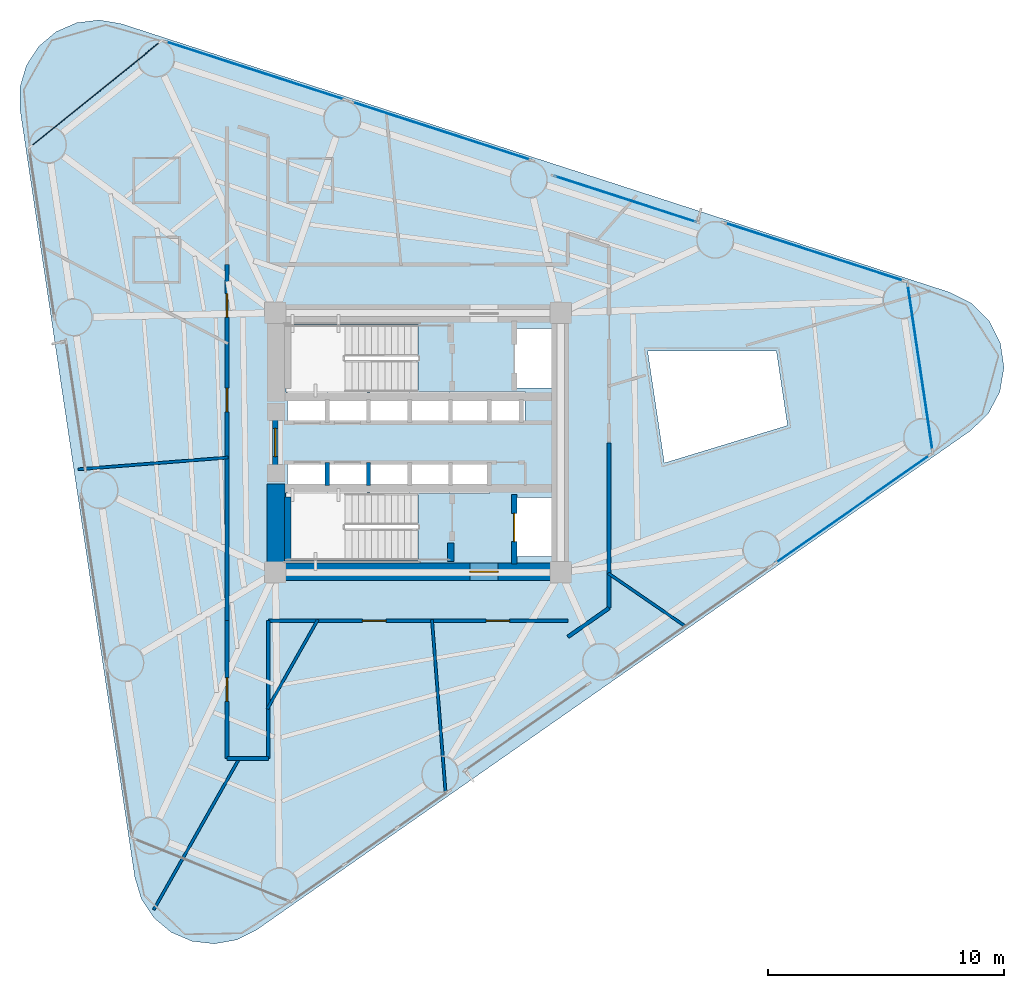
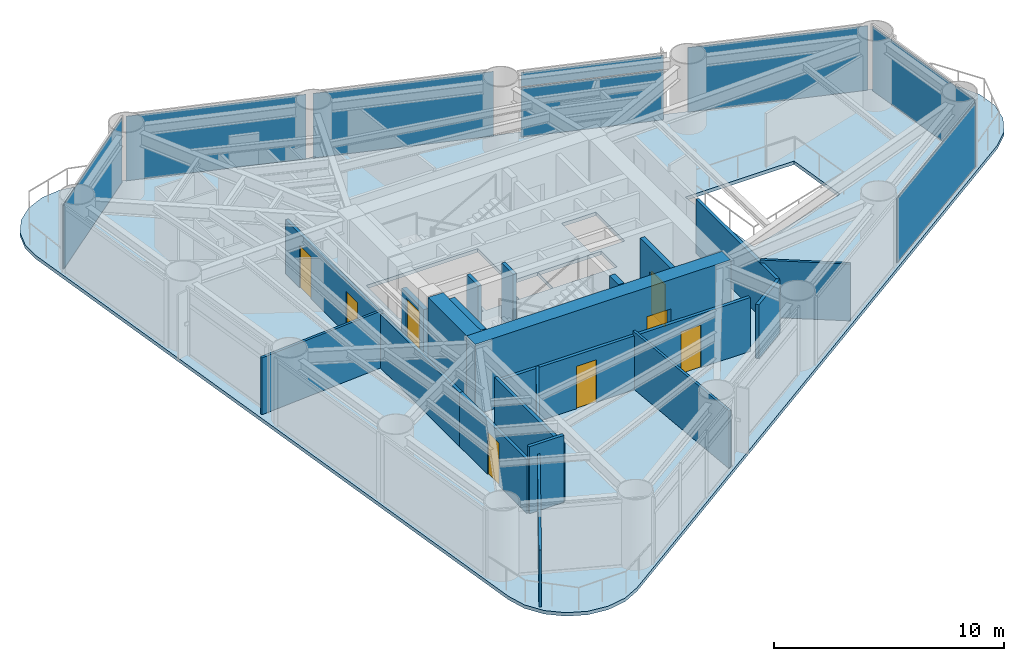
# One storey, part 5 of 9: 20 walls, 8 doors, 8 plates, 1 slab, 8 openings, 7 elements without a shape of their own.
"""IFC4 building model written with IfcOpenShell, lengths in metres."""

from ifc_helpers import new_model, si_unit, direction, frame, frame_2d, origin, origin_2d, place, context, subcontext, project, spatial, polyline, rectangle, outline, extrude, source, transform, mapped, material, layer, layer_set, type_object, element, fill, aggregate, save


model = new_model("IFC4")

# Units and contexts
model_context = context("Model", 3, precision=1e-05, world=origin(), true_north=direction((0.0, 1.0)))
body_context = subcontext(model_context, "Body", "Model", "MODEL_VIEW")
ifc_project = project(units=[si_unit("LENGTHUNIT", "METRE"), si_unit("AREAUNIT", "SQUARE_METRE"), si_unit("VOLUMEUNIT", "CUBIC_METRE"), si_unit("PLANEANGLEUNIT", "RADIAN"), si_unit("MASSUNIT", "GRAM", prefix="KILO")], contexts=[model_context])

# Site, building, storey
site_placement = place(None, origin())
site = spatial("IfcSite", under=ifc_project, at=site_placement, CompositionType="ELEMENT")
building_placement = place(site_placement, origin())
building = spatial("IfcBuilding", under=site, at=building_placement, Name="Yunling Apex Tower", CompositionType="ELEMENT")
storey_placement = place(building_placement, frame((0.0, 0.0, 73.550048828125)))
storey = spatial("IfcBuildingStorey", under=building, at=storey_placement, Name="L19", CompositionType="ELEMENT", Elevation=73.550048828125)

# Slab
ifc_material_1 = material(Name="Concrete C40", Category="concrete")
ifc_layer_1 = layer(ifc_material_1, 0.179931640625)
ifc_layer_set_1 = layer_set([ifc_layer_1], Name="Concrete C40")
slab_type = type_object("IfcSlabType", Name="SL-FLR-1", PredefinedType="FLOOR", material=ifc_layer_set_1)
slab_placement = place(storey_placement, frame((0.0, 0.0, -0.18505859375)))
element("IfcSlab", 1, at=slab_placement, inside=storey, type_object=slab_type, Name="L19 Composite Tower Floor Slab", PredefinedType="FLOOR", context=body_context, shape_type="SweptSolid", body=[
    extrude(outline(polyline([(-12.00732421875, -18.4326171875), (-11.730224609375, -19.349365234375), (-11.202392578125, -20.1484375), (-10.467529296875, -20.7626953125), (-9.587646484375, -21.14111328125), (-8.636474609375, -21.251708984375), (-7.693115234375, -21.08544921875), (-6.837158203125, -20.656005859375), (23.428955078125, 0.50537109375), (24.1796875, 1.231201171875), (24.6669921875, 2.155029296875), (24.842041015625, 3.184814453125), (24.687744140625, 4.217529296875), (24.21923828125, 5.15087890625), (23.483154296875, 5.89208984375), (22.552978515625, 6.36669921875), (-12.57763671875, 17.75439453125), (-13.521728515625, 17.914794921875), (-14.472412109375, 17.798095703125), (-15.349853515625, 17.414306640625), (-16.080810546875, 16.795166015625), (-16.603515625, 15.992919921875), (-16.875, 15.07421875), (-16.871826171875, 14.116455078125), (-12.00732421875, -18.4326171875)]), holes=[polyline([(15.192138671875, 3.88818359375), (15.6650390625, 0.723388671875), (10.442626953125, -0.865966796875), (9.733154296875, 3.88134765625), (15.192138671875, 3.88818359375)]), polyline([(5.81005859375, -2.320068359375), (5.81005859375, -4.840087890625), (4.090087890625, -4.840087890625), (4.090087890625, -2.320068359375), (5.81005859375, -2.320068359375)]), polyline([(5.81005859375, 4.840087890625), (5.81005859375, 2.320068359375), (4.090087890625, 2.320068359375), (4.090087890625, 4.840087890625), (5.81005859375, 4.840087890625)]), polyline([(4.534912109375, 0.794921875), (1.364990234375, 0.794921875), (1.364990234375, 2.1650390625), (4.534912109375, 2.1650390625), (4.534912109375, 0.794921875)]), polyline([(3.034912109375, -0.794921875), (3.034912109375, -2.1650390625), (1.364990234375, -2.1650390625), (1.364990234375, -0.794921875), (3.034912109375, -0.794921875)]), polyline([(-3.864990234375, -0.794921875), (-3.864990234375, -2.139892578125), (-3.8349609375, -2.139892578125), (-3.8349609375, -0.794921875), (-2.1650390625, -0.794921875), (-2.1650390625, -2.139892578125), (-2.034912109375, -2.139892578125), (-2.034912109375, -0.794921875), (-0.364990234375, -0.794921875), (-0.364990234375, -2.139892578125), (-0.3349609375, -2.139892578125), (-0.3349609375, -0.794921875), (1.3349609375, -0.794921875), (1.3349609375, -2.1650390625), (-0.010009765625, -2.1650390625), (-0.010009765625, -5.010009765625), (-5.60009765625, -5.010009765625), (-5.60009765625, -2.139892578125), (-5.534912109375, -2.139892578125), (-5.534912109375, -0.794921875), (-3.864990234375, -0.794921875)]), polyline([(-5.60009765625, 2.139892578125), (-5.60009765625, 5.010009765625), (-0.010009765625, 5.010009765625), (-0.010009765625, 2.1650390625), (1.3349609375, 2.1650390625), (1.3349609375, 0.794921875), (-0.3349609375, 0.794921875), (-0.3349609375, 2.139892578125), (-0.364990234375, 2.139892578125), (-0.364990234375, 0.794921875), (-2.034912109375, 0.794921875), (-2.034912109375, 2.139892578125), (-2.1650390625, 2.139892578125), (-2.1650390625, 0.794921875), (-3.8349609375, 0.794921875), (-3.8349609375, 2.139892578125), (-3.864990234375, 2.139892578125), (-3.864990234375, 0.794921875), (-5.534912109375, 0.794921875), (-5.534912109375, 2.139892578125), (-5.60009765625, 2.139892578125)])]), origin(), (0.0, 0.0, 1.0), 0.18505859375),
])

# Curtain wall, plates
ifc_material_2 = material(Name="Bronze anodised aluminium", Category="aluminium")
ifc_layer_2 = layer(ifc_material_2, 0.260009765625)
ifc_layer_set_2 = layer_set([ifc_layer_2], Name="Bronze anodised aluminium")
curtain_wall_type = type_object("IfcCurtainWallType", Name="CW-SYS-2", PredefinedType="NOTDEFINED", material=ifc_layer_set_2)
curtain_wall_1_placement = place(storey_placement, origin())
curtain_wall_1 = element("IfcCurtainWall", 2, at=curtain_wall_1_placement, inside=storey, type_object=curtain_wall_type, Name="CW-L19-F2-B2", PredefinedType="NOTDEFINED")
ifc_material_3 = material(Name="Bronze tinted low-E glass", Category="glass")
ifc_layer_3 = layer(ifc_material_3, 0.033935546875)
ifc_layer_set_3 = layer_set([ifc_layer_3], Name="Bronze tinted low-E glass")
plate_type = type_object("IfcPlateType", Name="CW-PNL-2", PredefinedType="CURTAIN_PANEL", material=ifc_layer_set_3)
shared_shape_1 = source(origin(), body_context, "Body", "SweptSolid", [
    extrude(rectangle(XDim=6.315673828125, YDim=0.033935546875, at=origin_2d()), origin(), (0.0, 0.0, 1.0), 2.60400390625),
])
plate_1_placement = place(storey_placement, frame((8.7919921875, 10.32275390625, 0.07666015625), z_axis=(0.0, 0.0, 1.0), x_axis=(-0.951272336999, 0.308351975608, 0.0)))
plate_1 = element("IfcPlate", 3, at=plate_1_placement, type_object=plate_type, Name="CW-SYS-2 panel 1.1", PredefinedType="CURTAIN_PANEL", context=body_context, shape_type="MappedRepresentation", body=[
    mapped(shared_shape_1, transform((0.0, 0.0, 0.0), scale=1.0)),
])
shared_shape_2 = source(origin(), body_context, "Body", "SweptSolid", [
    extrude(rectangle(XDim=6.315673828125, YDim=0.033935546875, at=origin_2d()), origin(), (0.0, 0.0, 1.0), 0.739013671875),
])
plate_2_placement = place(storey_placement, frame((8.7919921875, 10.32275390625, 2.7490234375), z_axis=(0.0, 0.0, 1.0), x_axis=(-0.951272336999, 0.308351975608, 0.0)))
plate_2 = element("IfcPlate", 4, at=plate_2_placement, type_object=plate_type, Name="CW-SYS-2 panel 1.2", PredefinedType="CURTAIN_PANEL", context=body_context, shape_type="MappedRepresentation", body=[
    mapped(shared_shape_2, transform((0.0, 0.0, 0.0), scale=1.0)),
])
aggregate(curtain_wall_1, [plate_1, plate_2])

# Curtain wall, plate
curtain_wall_2_placement = place(storey_placement, origin())
curtain_wall_2 = element("IfcCurtainWall", 5, at=curtain_wall_2_placement, inside=storey, type_object=curtain_wall_type, Name="CW-L19-F1-B4", PredefinedType="NOTDEFINED")
shared_shape_3 = source(origin(), body_context, "Body", "SweptSolid", [
    extrude(rectangle(XDim=7.995849609375, YDim=0.033935546875, at=origin_2d()), origin(), (0.0, 0.0, 1.0), 3.41162109375),
])
plate_3_placement = place(storey_placement, frame((18.430419921875, -2.818603515625, 0.07666015625), z_axis=(0.0, 0.0, 1.0), x_axis=(0.819552319691, 0.573004358875, 0.0)))
plate_3 = element("IfcPlate", 6, at=plate_3_placement, type_object=plate_type, Name="CW-SYS-2 panel 1.1", PredefinedType="CURTAIN_PANEL", context=body_context, shape_type="MappedRepresentation", body=[
    mapped(shared_shape_3, transform((0.0, 0.0, 0.0), scale=1.0)),
])
aggregate(curtain_wall_2, [plate_3])

curtain_wall_3_placement = place(storey_placement, origin())
curtain_wall_3 = element("IfcCurtainWall", 7, at=curtain_wall_3_placement, inside=storey, type_object=curtain_wall_type, Name="CW-L19-F2-B1", PredefinedType="NOTDEFINED")
plate_4_placement = place(storey_placement, frame((16.801025390625, 8.083984375, 0.07666015625), z_axis=(0.0, 0.0, 1.0), x_axis=(-0.951270593784, 0.30835735341, 0.0)))
plate_4 = element("IfcPlate", 8, at=plate_4_placement, type_object=plate_type, Name="CW-SYS-2 panel 1.1", PredefinedType="CURTAIN_PANEL", context=body_context, shape_type="MappedRepresentation", body=[
    mapped(shared_shape_3, transform((0.0, 0.0, 0.0), scale=1.0)),
])
aggregate(curtain_wall_3, [plate_4])

curtain_wall_4_placement = place(storey_placement, origin())
curtain_wall_4 = element("IfcCurtainWall", 9, at=curtain_wall_4_placement, inside=storey, type_object=curtain_wall_type, Name="CW-L19-F2-B3", PredefinedType="NOTDEFINED")
plate_5_placement = place(storey_placement, frame((0.9921875, 13.20849609375, 0.07666015625), z_axis=(0.0, 0.0, 1.0), x_axis=(-0.951266994272, 0.308368457544, 0.0)))
plate_5 = element("IfcPlate", 10, at=plate_5_placement, type_object=plate_type, Name="CW-SYS-2 panel 1.1", PredefinedType="CURTAIN_PANEL", context=body_context, shape_type="MappedRepresentation", body=[
    mapped(shared_shape_3, transform((0.0, 0.0, 0.0), scale=1.0)),
])
aggregate(curtain_wall_4, [plate_5])

curtain_wall_5_placement = place(storey_placement, origin())
curtain_wall_5 = element("IfcCurtainWall", 11, at=curtain_wall_5_placement, inside=storey, type_object=curtain_wall_type, Name="CW-L19-F2-B4", PredefinedType="NOTDEFINED")
plate_6_placement = place(storey_placement, frame((-6.912109375, 15.770751953125, 0.07666015625), z_axis=(0.0, 0.0, 1.0), x_axis=(-0.951270593784, 0.30835735341, 0.0)))
plate_6 = element("IfcPlate", 12, at=plate_6_placement, type_object=plate_type, Name="CW-SYS-2 panel 1.1", PredefinedType="CURTAIN_PANEL", context=body_context, shape_type="MappedRepresentation", body=[
    mapped(shared_shape_3, transform((0.0, 0.0, 0.0), scale=1.0)),
])
aggregate(curtain_wall_5, [plate_6])

curtain_wall_6_placement = place(storey_placement, origin())
curtain_wall_6 = element("IfcCurtainWall", 13, at=curtain_wall_6_placement, inside=storey, type_object=curtain_wall_type, Name="CW-L19-CRN1", PredefinedType="NOTDEFINED")
shared_shape_4 = source(origin(), body_context, "Body", "SweptSolid", [
    extrude(rectangle(XDim=7.132080078125, YDim=0.033935546875, at=origin_2d()), origin(), (0.0, 0.0, 1.0), 3.41162109375),
])
plate_7_placement = place(storey_placement, frame((21.28564453125, 3.18115234375, 0.07666015625), z_axis=(0.0, 0.0, 1.0), x_axis=(-0.147798115278, 0.989017551472, 0.0)))
plate_7 = element("IfcPlate", 14, at=plate_7_placement, type_object=plate_type, Name="CW-SYS-2 panel 1.1", PredefinedType="CURTAIN_PANEL", context=body_context, shape_type="MappedRepresentation", body=[
    mapped(shared_shape_4, transform((0.0, 0.0, 0.0), scale=1.0)),
])
aggregate(curtain_wall_6, [plate_7])

curtain_wall_7_placement = place(storey_placement, origin())
curtain_wall_7 = element("IfcCurtainWall", 15, at=curtain_wall_7_placement, inside=storey, type_object=curtain_wall_type, Name="CW-L19-CRN2", PredefinedType="NOTDEFINED")
shared_shape_5 = source(origin(), body_context, "Body", "SweptSolid", [
    extrude(rectangle(XDim=7.043212890625, YDim=0.033935546875, at=origin_2d()), origin(), (0.0, 0.0, 1.0), 3.41162109375),
])
plate_8_placement = place(storey_placement, frame((-13.67041015625, 14.772705078125, 0.07666015625), z_axis=(0.0, 0.0, 1.0), x_axis=(-0.778148820322, -0.628079941911, 0.0)))
plate_8 = element("IfcPlate", 16, at=plate_8_placement, type_object=plate_type, Name="CW-SYS-2 panel 1.1", PredefinedType="CURTAIN_PANEL", context=body_context, shape_type="MappedRepresentation", body=[
    mapped(shared_shape_5, transform((0.0, 0.0, 0.0), scale=1.0)),
])
aggregate(curtain_wall_7, [plate_8])

# Wall, opening, door
ifc_material_4 = material(Name="Concrete C60", Category="concrete")
ifc_layer_4 = layer(ifc_material_4, 0.75)
ifc_layer_set_4 = layer_set([ifc_layer_4], Name="Concrete C60")
wall_type_1 = type_object("IfcWallType", Name="WL-COR-1", PredefinedType="SHEAR", material=ifc_layer_set_4)
wall_1_placement = place(storey_placement, frame((-6.39990234375, -5.47509765625, 0.0), z_axis=(0.0, 0.0, 1.0), x_axis=(1.0, 0.0, 0.0)))
wall_1 = element("IfcWall", 17, at=wall_1_placement, inside=storey, type_object=wall_type_1, Name="L19 South Core Shear Wall", PredefinedType="SHEAR", context=body_context, shape_type="SweptSolid", body=[
    extrude(rectangle(XDim=12.7998046875, YDim=0.75, at=frame_2d((6.39990234375, 0.0))), origin(), (0.0, 0.0, 1.0), 3.75),
])
opening_1_placement = place(wall_1_placement, frame((8.60009765625, 0.0, 0.0)))
opening_1 = element("IfcOpeningElement", 18, at=opening_1_placement, cuts=wall_1, Name="Opening DR-FFL-1", PredefinedType="OPENING", context=body_context, shape_type="SweptSolid", body=[
    extrude(rectangle(XDim=1.199951171875, YDim=2.199951171875, at=frame_2d((0.60009765625, 1.10009765625))), frame((0.0, 0.385009765625, 0.0), z_axis=(0.0, -1.0, 0.0), x_axis=(1.0, 0.0, 0.0)), (0.0, 0.0, 1.0), 0.77001953125),
])
ifc_material_5 = material(Name="Steel Q355B", Category="steel")
door_type_1 = type_object("IfcDoorType", Name="DR-FFL-1", OperationType="NOTDEFINED", PredefinedType="DOOR", material=ifc_material_5)
door_1_placement = place(opening_1_placement, origin())
door_1 = element("IfcDoor", 19, at=door_1_placement, inside=storey, type_object=door_type_1, Name="L19 South Firefighting Lobby Door", OperationType="SINGLE_SWING_RIGHT", OverallHeight=2.199951171875, OverallWidth=1.199951171875, PredefinedType="DOOR", context=body_context, shape_type="SweptSolid", body=[
    extrude(rectangle(XDim=1.199951171875, YDim=2.199951171875, at=frame_2d((0.60009765625, 1.10009765625))), frame((0.0, 0.02490234375, 0.0), z_axis=(0.0, -1.0, 0.0), x_axis=(1.0, 0.0, 0.0)), (0.0, 0.0, 1.0), 0.050048828125),
])
fill(opening_1, door_1)

# Walls
wall_2_placement = place(storey_placement, frame((-6.02490234375, -5.10009765625, 0.0), z_axis=(0.0, 0.0, 1.0), x_axis=(0.0, 1.0, 0.0)))
element("IfcWall", 20, at=wall_2_placement, inside=storey, type_object=wall_type_1, Name="L19 West-South Core Shear Wall", PredefinedType="SHEAR", context=body_context, shape_type="SweptSolid", body=[
    extrude(rectangle(XDim=3.35009765625, YDim=0.75, at=frame_2d((1.675048828125, 0.0))), origin(), (0.0, 0.0, 1.0), 3.75),
])
ifc_layer_5 = layer(ifc_material_1, 0.280029296875)
ifc_layer_set_5 = layer_set([ifc_layer_5], Name="Concrete C40")
wall_type_2 = type_object("IfcWallType", Name="WL-COR-8", PredefinedType="SHEAR", material=ifc_layer_set_5)
wall_3_placement = place(storey_placement, frame((-5.52001953125, -5.050048828125, 0.0), z_axis=(0.0, 0.0, 1.0), x_axis=(0.0, 1.0, 0.0)))
element("IfcWall", 21, at=wall_3_placement, inside=storey, type_object=wall_type_2, Name="L19 ST-2 West Landing Bearing Wall", PredefinedType="SHEAR", context=body_context, shape_type="SweptSolid", body=[
    extrude(rectangle(XDim=2.75, YDim=0.280029296875, at=frame_2d((1.375, 0.0))), origin(), (0.0, 0.0, 1.0), 3.75),
])
wall_4_placement = place(storey_placement, frame((1.3798828125, -5.050048828125, 0.0), z_axis=(0.0, 0.0, 1.0), x_axis=(0.0, 1.0, 0.0)))
element("IfcWall", 22, at=wall_4_placement, inside=storey, type_object=wall_type_2, Name="L19 ST-2 East Landing Bearing Pier", PredefinedType="SHEAR", context=body_context, shape_type="SweptSolid", body=[
    extrude(rectangle(XDim=0.800048828125, YDim=0.280029296875, at=frame_2d((0.39990234375, 0.0))), origin(), (0.0, 0.0, 1.0), 3.75),
])

# Wall, opening, door
ifc_material_6 = material(Name="Gypsum board acoustic partition")
ifc_layer_6 = layer(ifc_material_6, 0.159912109375)
ifc_layer_set_6 = layer_set([ifc_layer_6], Name="Gypsum board acoustic partition")
wall_type_3 = type_object("IfcWallType", Name="WL-PRT-1", PredefinedType="PARTITIONING", material=ifc_layer_set_6)
wall_5_placement = place(storey_placement, frame((-8.10009765625, -13.39990234375, 0.0), z_axis=(0.0, 0.0, 1.0), x_axis=(0.0, 1.0, 0.0)))
wall_5 = element("IfcWall", 23, at=wall_5_placement, inside=storey, type_object=wall_type_3, Name="WL-CORR-L19-01", PredefinedType="PARTITIONING", context=body_context, shape_type="SweptSolid", body=[
    extrude(rectangle(XDim=5.849853515625, YDim=0.159912109375, at=frame_2d((2.9248046875, 0.0))), origin(), (0.0, 0.0, 1.0), 2.849853515625),
])
opening_2_placement = place(wall_5_placement, frame((2.425048828125, 0.0, 0.0)))
opening_2 = element("IfcOpeningElement", 24, at=opening_2_placement, cuts=wall_5, Name="Opening DR-OFF-1", PredefinedType="OPENING", context=body_context, shape_type="SweptSolid", body=[
    extrude(rectangle(XDim=1.0, YDim=2.25, at=frame_2d((0.5, 1.125))), frame((0.0, 0.08984375, 0.0), z_axis=(0.0, -1.0, 0.0), x_axis=(1.0, 0.0, 0.0)), (0.0, 0.0, 1.0), 0.179931640625),
])
door_type_2 = type_object("IfcDoorType", Name="DR-OFF-1", OperationType="NOTDEFINED", PredefinedType="DOOR", material=ifc_material_2)
door_2_placement = place(opening_2_placement, origin())
door_2 = element("IfcDoor", 25, at=door_2_placement, inside=storey, type_object=door_type_2, Name="L19 Client Reception Foyer Door", OperationType="SINGLE_SWING_RIGHT", OverallHeight=2.25, OverallWidth=1.0, PredefinedType="DOOR", context=body_context, shape_type="SweptSolid", body=[
    extrude(rectangle(XDim=1.0, YDim=2.25, at=frame_2d((0.5, 1.125))), frame((0.0, 0.02490234375, 0.0), z_axis=(0.0, -1.0, 0.0), x_axis=(1.0, 0.0, 0.0)), (0.0, 0.0, 1.0), 0.050048828125),
])
fill(opening_2, door_2)

# Wall, openings, doors
wall_6_placement = place(storey_placement, frame((-8.10009765625, -7.550048828125, 0.0), z_axis=(0.0, 0.0, 1.0), x_axis=(0.0, 1.0, 0.0)))
wall_6 = element("IfcWall", 26, at=wall_6_placement, inside=storey, type_object=wall_type_3, Name="WL-CORR-L19-02", PredefinedType="PARTITIONING", context=body_context, shape_type="SweptSolid", body=[
    extrude(rectangle(XDim=15.10009765625, YDim=0.159912109375, at=frame_2d((7.550048828125, 0.0))), origin(), (0.0, 0.0, 1.0), 2.849853515625),
])
opening_3_placement = place(wall_6_placement, frame((8.855224609375, 0.0, 0.0)))
opening_3 = element("IfcOpeningElement", 27, at=opening_3_placement, cuts=wall_6, Name="Opening DR-OFF-1", PredefinedType="OPENING", context=body_context, shape_type="SweptSolid", body=[
    extrude(rectangle(XDim=1.0, YDim=2.25, at=frame_2d((0.5, 1.125))), frame((0.0, 0.08984375, 0.0), z_axis=(0.0, -1.0, 0.0), x_axis=(1.0, 0.0, 0.0)), (0.0, 0.0, 1.0), 0.179931640625),
])
opening_4_placement = place(wall_6_placement, frame((12.864990234375, 0.0, 0.0)))
opening_4 = element("IfcOpeningElement", 28, at=opening_4_placement, cuts=wall_6, Name="Opening DR-OFF-1", PredefinedType="OPENING", context=body_context, shape_type="SweptSolid", body=[
    extrude(rectangle(XDim=1.0, YDim=2.25, at=frame_2d((0.5, 1.125))), frame((0.0, 0.08984375, 0.0), z_axis=(0.0, -1.0, 0.0), x_axis=(1.0, 0.0, 0.0)), (0.0, 0.0, 1.0), 0.179931640625),
])
door_3_placement = place(opening_3_placement, origin())
door_3 = element("IfcDoor", 29, at=door_3_placement, inside=storey, type_object=door_type_2, Name="L19 Client Reception Foyer Door", OperationType="SINGLE_SWING_LEFT", OverallHeight=2.25, OverallWidth=1.0, PredefinedType="DOOR", context=body_context, shape_type="SweptSolid", body=[
    extrude(rectangle(XDim=1.0, YDim=2.25, at=frame_2d((0.5, 1.125))), frame((0.0, 0.02490234375, 0.0), z_axis=(0.0, -1.0, 0.0), x_axis=(1.0, 0.0, 0.0)), (0.0, 0.0, 1.0), 0.050048828125),
])
fill(opening_3, door_3)
door_4_placement = place(opening_4_placement, origin())
door_4 = element("IfcDoor", 30, at=door_4_placement, inside=storey, type_object=door_type_2, Name="L19 Service Foyer Lounge Door", OperationType="SINGLE_SWING_RIGHT", OverallHeight=2.25, OverallWidth=1.0, PredefinedType="DOOR", context=body_context, shape_type="SweptSolid", body=[
    extrude(rectangle(XDim=1.0, YDim=2.25, at=frame_2d((0.5, 1.125))), frame((0.0, 0.02490234375, 0.0), z_axis=(0.0, -1.0, 0.0), x_axis=(1.0, 0.0, 0.0)), (0.0, 0.0, 1.0), 0.050048828125),
])
fill(opening_4, door_4)

# Walls
wall_7_placement = place(storey_placement, frame((8.10009765625, -0.02001953125, 0.0), z_axis=(0.0, 0.0, 1.0), x_axis=(0.0, -1.0, 0.0)))
element("IfcWall", 31, at=wall_7_placement, inside=storey, type_object=wall_type_3, Name="WL-CORR-L19-12", PredefinedType="PARTITIONING", context=body_context, shape_type="SweptSolid", body=[
    extrude(rectangle(XDim=6.995361328125, YDim=0.159912109375, at=frame_2d((3.49755859375, 0.0))), origin(), (0.0, 0.0, 1.0), 2.849853515625),
])
wall_8_placement = place(storey_placement, frame((8.10009765625, -7.015380859375, 0.0), z_axis=(0.0, 0.0, 1.0), x_axis=(-0.81953260104, -0.573032560883, 0.0)))
element("IfcWall", 32, at=wall_8_placement, inside=storey, type_object=wall_type_3, Name="WL-CORR-L19-13", PredefinedType="PARTITIONING", context=body_context, shape_type="SweptSolid", body=[
    extrude(rectangle(XDim=2.13525390625, YDim=0.159912109375, at=frame_2d((1.067626953125, 0.0))), origin(), (0.0, 0.0, 1.0), 2.849853515625),
])

# Wall, openings, doors
wall_9_placement = place(storey_placement, frame((6.35009765625, -7.550048828125, 0.0), z_axis=(0.0, 0.0, 1.0), x_axis=(-1.0, 0.0, 0.0)))
wall_9 = element("IfcWall", 33, at=wall_9_placement, inside=storey, type_object=wall_type_3, Name="WL-CORR-L19-15", PredefinedType="PARTITIONING", context=body_context, shape_type="SweptSolid", body=[
    extrude(rectangle(XDim=12.7001953125, YDim=0.159912109375, at=frame_2d((6.35009765625, 0.0))), origin(), (0.0, 0.0, 1.0), 2.849853515625),
])
opening_5_placement = place(wall_9_placement, frame((2.46875, 0.0, 0.0)))
opening_5 = element("IfcOpeningElement", 34, at=opening_5_placement, cuts=wall_9, Name="Opening DR-OFF-1", PredefinedType="OPENING", context=body_context, shape_type="SweptSolid", body=[
    extrude(rectangle(XDim=1.0, YDim=2.25, at=frame_2d((0.5, 1.125))), frame((0.0, 0.08984375, 0.0), z_axis=(0.0, -1.0, 0.0), x_axis=(1.0, 0.0, 0.0)), (0.0, 0.0, 1.0), 0.179931640625),
])
opening_6_placement = place(wall_9_placement, frame((7.70654296875, 0.0, 0.0)))
opening_6 = element("IfcOpeningElement", 35, at=opening_6_placement, cuts=wall_9, Name="Opening DR-OFF-1", PredefinedType="OPENING", context=body_context, shape_type="SweptSolid", body=[
    extrude(rectangle(XDim=1.0, YDim=2.25, at=frame_2d((0.5, 1.125))), frame((0.0, 0.08984375, 0.0), z_axis=(0.0, -1.0, 0.0), x_axis=(1.0, 0.0, 0.0)), (0.0, 0.0, 1.0), 0.179931640625),
])
door_5_placement = place(opening_5_placement, origin())
door_5 = element("IfcDoor", 36, at=door_5_placement, inside=storey, type_object=door_type_2, Name="L19 Client Reception Foyer Door", OperationType="SINGLE_SWING_RIGHT", OverallHeight=2.25, OverallWidth=1.0, PredefinedType="DOOR", context=body_context, shape_type="SweptSolid", body=[
    extrude(rectangle(XDim=1.0, YDim=2.25, at=frame_2d((0.5, 1.125))), frame((0.0, 0.02490234375, 0.0), z_axis=(0.0, -1.0, 0.0), x_axis=(1.0, 0.0, 0.0)), (0.0, 0.0, 1.0), 0.050048828125),
])
fill(opening_5, door_5)
door_6_placement = place(opening_6_placement, origin())
door_6 = element("IfcDoor", 37, at=door_6_placement, inside=storey, type_object=door_type_2, Name="L19 Client Reception Foyer Door", OperationType="SINGLE_SWING_LEFT", OverallHeight=2.25, OverallWidth=1.0, PredefinedType="DOOR", context=body_context, shape_type="SweptSolid", body=[
    extrude(rectangle(XDim=1.0, YDim=2.25, at=frame_2d((0.5, 1.125))), frame((0.0, 0.02490234375, 0.0), z_axis=(0.0, -1.0, 0.0), x_axis=(1.0, 0.0, 0.0)), (0.0, 0.0, 1.0), 0.050048828125),
])
fill(opening_6, door_6)

# Walls
wall_10_placement = place(storey_placement, frame((-6.35009765625, -7.550048828125, 0.0), z_axis=(0.0, 0.0, 1.0), x_axis=(0.0, -1.0, 0.0)))
element("IfcWall", 38, at=wall_10_placement, inside=storey, type_object=wall_type_3, Name="WL-CORR-L19-16", PredefinedType="PARTITIONING", context=body_context, shape_type="SweptSolid", body=[
    extrude(rectangle(XDim=5.849853515625, YDim=0.159912109375, at=frame_2d((2.9248046875, 0.0))), origin(), (0.0, 0.0, 1.0), 3.050048828125),
])
wall_11_placement = place(storey_placement, frame((-6.35009765625, -13.39990234375, 0.0), z_axis=(0.0, 0.0, 1.0), x_axis=(-1.0, 0.0, 0.0)))
element("IfcWall", 39, at=wall_11_placement, inside=storey, type_object=wall_type_3, Name="WL-CORR-L19-17", PredefinedType="PARTITIONING", context=body_context, shape_type="SweptSolid", body=[
    extrude(rectangle(XDim=1.75, YDim=0.159912109375, at=frame_2d((0.875, 0.0))), origin(), (0.0, 0.0, 1.0), 3.544921875),
])
ifc_layer_7 = layer(ifc_material_6, 0.1201171875)
ifc_layer_set_7 = layer_set([ifc_layer_7], Name="Gypsum board acoustic partition")
wall_type_4 = type_object("IfcWallType", Name="WL-PRT-3", PredefinedType="PARTITIONING", material=ifc_layer_set_7)
wall_12_placement = place(storey_placement, frame((-8.06005859375, -0.63427734375, 0.0), z_axis=(0.0, 0.0, 1.0), x_axis=(-0.996917899667, -0.078451904529, 0.0)))
element("IfcWall", 40, at=wall_12_placement, inside=storey, type_object=wall_type_4, Name="WL-RAD-L19-03", PredefinedType="PARTITIONING", context=body_context, shape_type="SweptSolid", body=[
    extrude(rectangle(XDim=6.3701171875, YDim=0.1201171875, at=frame_2d((3.18505859375, 0.0))), origin(), (0.0, 0.0, 1.0), 3.010009765625),
])
wall_13_placement = place(storey_placement, frame((-4.2490234375, -7.510009765625, 0.0), z_axis=(0.0, 0.0, 1.0), x_axis=(-0.492403224766, -0.870367200807, 0.0)))
element("IfcWall", 41, at=wall_13_placement, inside=storey, type_object=wall_type_4, Name="WL-RAD-L19-04", PredefinedType="PARTITIONING", context=body_context, shape_type="SweptSolid", body=[
    extrude(rectangle(XDim=4.347900390625, YDim=0.1201171875, at=frame_2d((2.173828125, 0.0))), origin(), (0.0, 0.0, 1.0), 2.849853515625),
])
wall_14_placement = place(storey_placement, frame((-7.55859375, -13.360107421875, 0.0), z_axis=(0.0, 0.0, 1.0), x_axis=(-0.492445728691, -0.870343153184, 0.0)))
element("IfcWall", 42, at=wall_14_placement, inside=storey, type_object=wall_type_4, Name="WL-RAD-L19-05", PredefinedType="PARTITIONING", context=body_context, shape_type="SweptSolid", body=[
    extrude(rectangle(XDim=7.412841796875, YDim=0.1201171875, at=frame_2d((3.70654296875, 0.0))), origin(), (0.0, 0.0, 1.0), 3.010009765625),
])
wall_15_placement = place(storey_placement, frame((0.591064453125, -7.510009765625, 0.0), z_axis=(0.0, 0.0, 1.0), x_axis=(0.078466268921, -0.996916769165, 0.0)))
element("IfcWall", 43, at=wall_15_placement, inside=storey, type_object=wall_type_4, Name="WL-RAD-L19-06", PredefinedType="PARTITIONING", context=body_context, shape_type="SweptSolid", body=[
    extrude(rectangle(XDim=7.352294921875, YDim=0.1201171875, at=frame_2d((3.67626953125, 0.0))), origin(), (0.0, 0.0, 1.0), 3.050048828125),
])
wall_16_placement = place(storey_placement, frame((8.06005859375, -5.53955078125, 0.0), z_axis=(0.0, 0.0, 1.0), x_axis=(0.824103676806, -0.566438990426, 0.0)))
element("IfcWall", 44, at=wall_16_placement, inside=storey, type_object=wall_type_4, Name="WL-RAD-L19-07", PredefinedType="PARTITIONING", context=body_context, shape_type="SweptSolid", body=[
    extrude(rectangle(XDim=3.921875, YDim=0.1201171875, at=frame_2d((1.9609375, 0.0))), origin(), (0.0, 0.0, 1.0), 3.010009765625),
])

# Wall, opening, door
ifc_material_7 = material(Name="Autoclaved aerated concrete masonry", Category="masonry")
ifc_layer_8 = layer(ifc_material_7, 0.219970703125)
ifc_layer_set_8 = layer_set([ifc_layer_8], Name="Autoclaved aerated concrete masonry")
wall_type_5 = type_object("IfcWallType", Name="WL-SHF-1", PredefinedType="PLUMBINGWALL", material=ifc_layer_set_8)
wall_17_placement = place(storey_placement, frame((-6.050048828125, -0.949951171875, 0.0), z_axis=(0.0, 0.0, 1.0), x_axis=(0.0, 1.0, 0.0)))
wall_17 = element("IfcWall", 45, at=wall_17_placement, inside=storey, type_object=wall_type_5, Name="WL-COR-WPORT-L19", PredefinedType="PLUMBINGWALL", context=body_context, shape_type="SweptSolid", body=[
    extrude(rectangle(XDim=1.89990234375, YDim=0.219970703125, at=frame_2d((0.949951171875, 0.0))), origin(), (0.0, 0.0, 1.0), 2.52490234375),
])
opening_7_placement = place(wall_17_placement, frame((0.35009765625, 0.0, 0.0)))
opening_7 = element("IfcOpeningElement", 46, at=opening_7_placement, cuts=wall_17, Name="Opening DR-FFL-1", PredefinedType="OPENING", context=body_context, shape_type="SweptSolid", body=[
    extrude(rectangle(XDim=1.199951171875, YDim=2.199951171875, at=frame_2d((0.60009765625, 1.10009765625))), frame((0.0, 0.1201171875, 0.0), z_axis=(0.0, -1.0, 0.0), x_axis=(1.0, 0.0, 0.0)), (0.0, 0.0, 1.0), 0.239990234375),
])
door_7_placement = place(opening_7_placement, origin())
door_7 = element("IfcDoor", 47, at=door_7_placement, inside=storey, type_object=door_type_1, Name="L19 Passenger Lift Lobby Entrance Door", OperationType="SINGLE_SWING_RIGHT", OverallHeight=2.199951171875, OverallWidth=1.199951171875, PredefinedType="DOOR", context=body_context, shape_type="SweptSolid", body=[
    extrude(rectangle(XDim=1.199951171875, YDim=2.199951171875, at=frame_2d((0.60009765625, 1.10009765625))), frame((0.0, 0.02490234375, 0.0), z_axis=(0.0, -1.0, 0.0), x_axis=(1.0, 0.0, 0.0)), (0.0, 0.0, 1.0), 0.050048828125),
])
fill(opening_7, door_7)

wall_18_placement = place(storey_placement, frame((4.080078125, -5.14990234375, 0.0), z_axis=(0.0, 0.0, 1.0), x_axis=(0.0, 1.0, 0.0)))
wall_18 = element("IfcWall", 48, at=wall_18_placement, inside=storey, type_object=wall_type_5, Name="WL-FFL2-W-L19", PredefinedType="PLUMBINGWALL", context=body_context, shape_type="SweptSolid", body=[
    extrude(rectangle(XDim=2.949951171875, YDim=0.219970703125, at=frame_2d((1.47509765625, 0.0))), origin(), (0.0, 0.0, 1.0), 3.544921875),
])
opening_8_placement = place(wall_18_placement, frame((0.949951171875, 0.0, 0.0)))
opening_8 = element("IfcOpeningElement", 49, at=opening_8_placement, cuts=wall_18, Name="Opening LD-FFL-1", PredefinedType="OPENING", context=body_context, shape_type="SweptSolid", body=[
    extrude(rectangle(XDim=1.199951171875, YDim=2.25, at=frame_2d((0.60009765625, 1.125))), frame((0.0, 0.1201171875, 0.0), z_axis=(0.0, -1.0, 0.0), x_axis=(1.0, 0.0, 0.0)), (0.0, 0.0, 1.0), 0.239990234375),
])
door_type_3 = type_object("IfcDoorType", Name="LD-FFL-1", OperationType="DOUBLE_DOOR_SLIDING", PredefinedType="DOOR", material=ifc_material_5)
door_8_placement = place(opening_8_placement, origin())
door_8 = element("IfcDoor", 50, at=door_8_placement, inside=storey, type_object=door_type_3, Name="L19 Lift FFL-2 Landing Door", OperationType="DOUBLE_DOOR_SLIDING", OverallHeight=2.25, OverallWidth=1.199951171875, PredefinedType="DOOR", context=body_context, shape_type="SweptSolid", body=[
    extrude(rectangle(XDim=1.199951171875, YDim=2.25, at=frame_2d((0.60009765625, 1.125))), frame((0.0, 0.02490234375, 0.0), z_axis=(0.0, -1.0, 0.0), x_axis=(1.0, 0.0, 0.0)), (0.0, 0.0, 1.0), 0.050048828125),
])
fill(opening_8, door_8)

# Walls
ifc_layer_9 = layer(ifc_material_7, 0.179931640625)
ifc_layer_set_9 = layer_set([ifc_layer_9], Name="Autoclaved aerated concrete masonry")
wall_type_6 = type_object("IfcWallType", Name="WL-SHF-2", PredefinedType="PLUMBINGWALL", material=ifc_layer_set_9)
for number, where, z_axis, x_axis, name in (
    (51, (-3.85009765625, -1.820068359375, 0.0), (0.0, 0.0, 1.0), (0.0, 1.0, 0.0), "WL-DIV-L34-L19"),
    (52, (-2.10009765625, -1.820068359375, 0.0), (0.0, 0.0, 1.0), (0.0, 1.0, 0.0), "WL-BNK-LM-S-L19"),
):
    element("IfcWall", number, at=place(storey_placement, frame(where, z_axis=z_axis, x_axis=x_axis)), inside=storey, type_object=wall_type_6, Name=name, PredefinedType="PLUMBINGWALL", context=body_context, shape_type="SweptSolid", body=[
        extrude(rectangle(XDim=0.97998046875, YDim=0.179931640625, at=frame_2d((0.489990234375, 0.0))), origin(), (0.0, 0.0, 1.0), 3.544921875),
    ])

save(model, "model.ifc")
